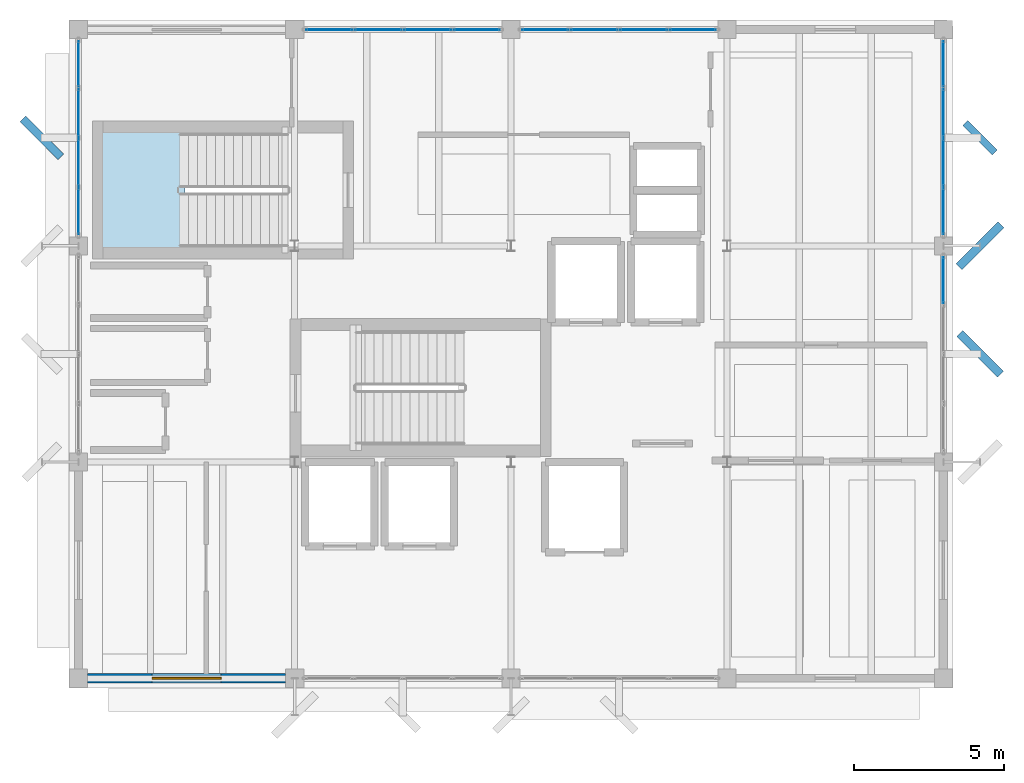
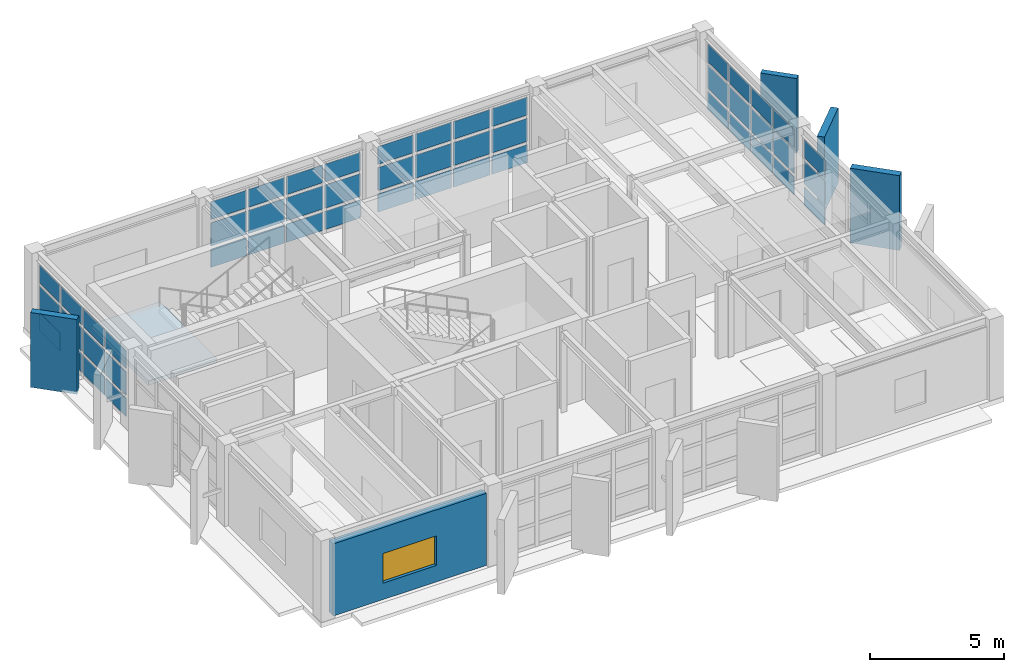
# One storey, part 10 of 15: 55 plates, 1 slab, 1 wall, 1 window, 1 opening, 6 elements without a shape of their own.
"""IFC4 building model written with IfcOpenShell, lengths in metres."""

from ifc_helpers import new_model, si_unit, direction, frame, frame_2d, origin, origin_2d, place, context, subcontext, project, spatial, polyline, rectangle, outline, extrude, material, layer, layer_set, type_object, element, fill, aggregate, save


model = new_model("IFC4")

# Units and contexts
model_context = context("Model", 3, precision=1e-05, world=origin(), true_north=direction((0.0, 1.0)))
body_context = subcontext(model_context, "Body", "Model", "MODEL_VIEW")
ifc_project = project(units=[si_unit("LENGTHUNIT", "METRE"), si_unit("AREAUNIT", "SQUARE_METRE"), si_unit("VOLUMEUNIT", "CUBIC_METRE"), si_unit("PLANEANGLEUNIT", "RADIAN"), si_unit("MASSUNIT", "GRAM", prefix="KILO")], contexts=[model_context])

# Site, building, storey
site_placement = place(None, origin())
site = spatial("IfcSite", under=ifc_project, at=site_placement, CompositionType="ELEMENT")
building_placement = place(site_placement, origin())
building = spatial("IfcBuilding", under=site, at=building_placement, Name="Kandorven Conservatory and Botanical Research Centre", CompositionType="ELEMENT")
storey_placement = place(building_placement, frame((0.0, 0.0, 52.199951171875)))
storey = spatial("IfcBuildingStorey", under=building, at=storey_placement, Name="L13", CompositionType="ELEMENT", Elevation=52.199951171875)

# Curtain wall, plates
ifc_material_1 = material(Name="Bronze anodised thermally broken aluminium", Category="aluminium")
ifc_layer_1 = layer(ifc_material_1, 0.179931640625)
ifc_layer_set_1 = layer_set([ifc_layer_1], Name="Bronze anodised thermally broken aluminium")
curtain_wall_type = type_object("IfcCurtainWallType", Name="CW_Unitised", PredefinedType="USERDEFINED", material=ifc_layer_set_1)
curtain_wall_1_placement = place(storey_placement, origin())
curtain_wall_1 = element("IfcCurtainWall", 1, at=curtain_wall_1_placement, inside=storey, type_object=curtain_wall_type, Name="Tower laboratory curtain wall CW-TWR-N-L13-2", ObjectType="UNITISED GLAZING", PredefinedType="USERDEFINED")
ifc_material_2 = material(Name="Double-glazed solar-control low-E glass", Category="glass")
ifc_layer_2 = layer(ifc_material_2, 0.028076171875)
ifc_layer_set_2 = layer_set([ifc_layer_2], Name="Double-glazed solar-control low-E glass")
plate_type_1 = type_object("IfcPlateType", Name="CW_Panel", PredefinedType="CURTAIN_PANEL", material=ifc_layer_set_2)
plate_1_placement = place(storey_placement, frame((14.344970703125, 27.60009765625, 0.14990234375), z_axis=(0.0, 0.0, 1.0), x_axis=(1.0, 0.0, 0.0)))
plate_1 = element("IfcPlate", 2, at=plate_1_placement, type_object=plate_type_1, Name="CW-01 panel 1.1", PredefinedType="CURTAIN_PANEL", context=body_context, shape_type="SweptSolid", body=[
    extrude(rectangle(XDim=1.530029296875, YDim=0.028076171875, at=origin_2d()), origin(), (0.0, 0.0, 1.0), 0.824951171875),
])
plate_2_placement = place(storey_placement, frame((14.344970703125, 27.60009765625, 1.125), z_axis=(0.0, 0.0, 1.0), x_axis=(1.0, 0.0, 0.0)))
plate_2 = element("IfcPlate", 3, at=plate_2_placement, type_object=plate_type_1, Name="CW-01 panel 1.2", PredefinedType="CURTAIN_PANEL", context=body_context, shape_type="SweptSolid", body=[
    extrude(rectangle(XDim=1.530029296875, YDim=0.028076171875, at=origin_2d()), origin(), (0.0, 0.0, 1.0), 1.050048828125),
])
plate_3_placement = place(storey_placement, frame((14.344970703125, 27.60009765625, 2.324951171875), z_axis=(0.0, 0.0, 1.0), x_axis=(1.0, 0.0, 0.0)))
plate_3 = element("IfcPlate", 4, at=plate_3_placement, type_object=plate_type_1, Name="CW-01 panel 1.3", PredefinedType="CURTAIN_PANEL", context=body_context, shape_type="SweptSolid", body=[
    extrude(rectangle(XDim=1.530029296875, YDim=0.028076171875, at=origin_2d()), origin(), (0.0, 0.0, 1.0), 0.81005859375),
])
plate_4_placement = place(storey_placement, frame((15.97509765625, 27.60009765625, 0.14990234375), z_axis=(0.0, 0.0, 1.0), x_axis=(1.0, 0.0, 0.0)))
plate_4 = element("IfcPlate", 5, at=plate_4_placement, type_object=plate_type_1, Name="CW-01 panel 2.1", PredefinedType="CURTAIN_PANEL", context=body_context, shape_type="SweptSolid", body=[
    extrude(rectangle(XDim=1.570068359375, YDim=0.028076171875, at=origin_2d()), origin(), (0.0, 0.0, 1.0), 0.824951171875),
])
plate_5_placement = place(storey_placement, frame((15.97509765625, 27.60009765625, 1.125), z_axis=(0.0, 0.0, 1.0), x_axis=(1.0, 0.0, 0.0)))
plate_5 = element("IfcPlate", 6, at=plate_5_placement, type_object=plate_type_1, Name="CW-01 panel 2.2", PredefinedType="CURTAIN_PANEL", context=body_context, shape_type="SweptSolid", body=[
    extrude(rectangle(XDim=1.570068359375, YDim=0.028076171875, at=origin_2d()), origin(), (0.0, 0.0, 1.0), 1.050048828125),
])
plate_6_placement = place(storey_placement, frame((15.97509765625, 27.60009765625, 2.324951171875), z_axis=(0.0, 0.0, 1.0), x_axis=(1.0, 0.0, 0.0)))
plate_6 = element("IfcPlate", 7, at=plate_6_placement, type_object=plate_type_1, Name="CW-01 panel 2.3", PredefinedType="CURTAIN_PANEL", context=body_context, shape_type="SweptSolid", body=[
    extrude(rectangle(XDim=1.570068359375, YDim=0.028076171875, at=origin_2d()), origin(), (0.0, 0.0, 1.0), 0.81005859375),
])
plate_7_placement = place(storey_placement, frame((17.625, 27.60009765625, 0.14990234375), z_axis=(0.0, 0.0, 1.0), x_axis=(1.0, 0.0, 0.0)))
plate_7 = element("IfcPlate", 8, at=plate_7_placement, type_object=plate_type_1, Name="CW-01 panel 3.1", PredefinedType="CURTAIN_PANEL", context=body_context, shape_type="SweptSolid", body=[
    extrude(rectangle(XDim=1.570068359375, YDim=0.028076171875, at=origin_2d()), origin(), (0.0, 0.0, 1.0), 0.824951171875),
])
plate_8_placement = place(storey_placement, frame((17.625, 27.60009765625, 1.125), z_axis=(0.0, 0.0, 1.0), x_axis=(1.0, 0.0, 0.0)))
plate_8 = element("IfcPlate", 9, at=plate_8_placement, type_object=plate_type_1, Name="CW-01 panel 3.2", PredefinedType="CURTAIN_PANEL", context=body_context, shape_type="SweptSolid", body=[
    extrude(rectangle(XDim=1.570068359375, YDim=0.028076171875, at=origin_2d()), origin(), (0.0, 0.0, 1.0), 1.050048828125),
])
plate_9_placement = place(storey_placement, frame((17.625, 27.60009765625, 2.324951171875), z_axis=(0.0, 0.0, 1.0), x_axis=(1.0, 0.0, 0.0)))
plate_9 = element("IfcPlate", 10, at=plate_9_placement, type_object=plate_type_1, Name="CW-01 panel 3.3", PredefinedType="CURTAIN_PANEL", context=body_context, shape_type="SweptSolid", body=[
    extrude(rectangle(XDim=1.570068359375, YDim=0.028076171875, at=origin_2d()), origin(), (0.0, 0.0, 1.0), 0.81005859375),
])
plate_10_placement = place(storey_placement, frame((19.2548828125, 27.60009765625, 0.14990234375), z_axis=(0.0, 0.0, 1.0), x_axis=(1.0, 0.0, 0.0)))
plate_10 = element("IfcPlate", 11, at=plate_10_placement, type_object=plate_type_1, Name="CW-01 panel 4.1", PredefinedType="CURTAIN_PANEL", context=body_context, shape_type="SweptSolid", body=[
    extrude(rectangle(XDim=1.530029296875, YDim=0.028076171875, at=origin_2d()), origin(), (0.0, 0.0, 1.0), 0.824951171875),
])
plate_11_placement = place(storey_placement, frame((19.2548828125, 27.60009765625, 1.125), z_axis=(0.0, 0.0, 1.0), x_axis=(1.0, 0.0, 0.0)))
plate_11 = element("IfcPlate", 12, at=plate_11_placement, type_object=plate_type_1, Name="CW-01 panel 4.2", PredefinedType="CURTAIN_PANEL", context=body_context, shape_type="SweptSolid", body=[
    extrude(rectangle(XDim=1.530029296875, YDim=0.028076171875, at=origin_2d()), origin(), (0.0, 0.0, 1.0), 1.050048828125),
])
plate_12_placement = place(storey_placement, frame((19.2548828125, 27.60009765625, 2.324951171875), z_axis=(0.0, 0.0, 1.0), x_axis=(1.0, 0.0, 0.0)))
plate_12 = element("IfcPlate", 13, at=plate_12_placement, type_object=plate_type_1, Name="CW-01 panel 4.3", PredefinedType="CURTAIN_PANEL", context=body_context, shape_type="SweptSolid", body=[
    extrude(rectangle(XDim=1.530029296875, YDim=0.028076171875, at=origin_2d()), origin(), (0.0, 0.0, 1.0), 0.81005859375),
])
aggregate(curtain_wall_1, [plate_1, plate_2, plate_3, plate_4, plate_5, plate_6, plate_7, plate_8, plate_9, plate_10, plate_11, plate_12])

curtain_wall_2_placement = place(storey_placement, origin())
curtain_wall_2 = element("IfcCurtainWall", 14, at=curtain_wall_2_placement, inside=storey, type_object=curtain_wall_type, Name="Tower laboratory curtain wall CW-TWR-N-L13-3", ObjectType="UNITISED GLAZING", PredefinedType="USERDEFINED")
plate_13_placement = place(storey_placement, frame((21.544921875, 27.60009765625, 0.14990234375), z_axis=(0.0, 0.0, 1.0), x_axis=(1.0, 0.0, 0.0)))
plate_13 = element("IfcPlate", 15, at=plate_13_placement, type_object=plate_type_1, Name="CW-01 panel 1.1", PredefinedType="CURTAIN_PANEL", context=body_context, shape_type="SweptSolid", body=[
    extrude(rectangle(XDim=1.530029296875, YDim=0.028076171875, at=origin_2d()), origin(), (0.0, 0.0, 1.0), 0.824951171875),
])
plate_14_placement = place(storey_placement, frame((21.544921875, 27.60009765625, 1.125), z_axis=(0.0, 0.0, 1.0), x_axis=(1.0, 0.0, 0.0)))
plate_14 = element("IfcPlate", 16, at=plate_14_placement, type_object=plate_type_1, Name="CW-01 panel 1.2", PredefinedType="CURTAIN_PANEL", context=body_context, shape_type="SweptSolid", body=[
    extrude(rectangle(XDim=1.530029296875, YDim=0.028076171875, at=origin_2d()), origin(), (0.0, 0.0, 1.0), 1.050048828125),
])
plate_15_placement = place(storey_placement, frame((21.544921875, 27.60009765625, 2.324951171875), z_axis=(0.0, 0.0, 1.0), x_axis=(1.0, 0.0, 0.0)))
plate_15 = element("IfcPlate", 17, at=plate_15_placement, type_object=plate_type_1, Name="CW-01 panel 1.3", PredefinedType="CURTAIN_PANEL", context=body_context, shape_type="SweptSolid", body=[
    extrude(rectangle(XDim=1.530029296875, YDim=0.028076171875, at=origin_2d()), origin(), (0.0, 0.0, 1.0), 0.81005859375),
])
plate_16_placement = place(storey_placement, frame((23.175048828125, 27.60009765625, 0.14990234375), z_axis=(0.0, 0.0, 1.0), x_axis=(1.0, 0.0, 0.0)))
plate_16 = element("IfcPlate", 18, at=plate_16_placement, type_object=plate_type_1, Name="CW-01 panel 2.1", PredefinedType="CURTAIN_PANEL", context=body_context, shape_type="SweptSolid", body=[
    extrude(rectangle(XDim=1.570068359375, YDim=0.028076171875, at=origin_2d()), origin(), (0.0, 0.0, 1.0), 0.824951171875),
])
plate_17_placement = place(storey_placement, frame((23.175048828125, 27.60009765625, 1.125), z_axis=(0.0, 0.0, 1.0), x_axis=(1.0, 0.0, 0.0)))
plate_17 = element("IfcPlate", 19, at=plate_17_placement, type_object=plate_type_1, Name="CW-01 panel 2.2", PredefinedType="CURTAIN_PANEL", context=body_context, shape_type="SweptSolid", body=[
    extrude(rectangle(XDim=1.570068359375, YDim=0.028076171875, at=origin_2d()), origin(), (0.0, 0.0, 1.0), 1.050048828125),
])
plate_18_placement = place(storey_placement, frame((23.175048828125, 27.60009765625, 2.324951171875), z_axis=(0.0, 0.0, 1.0), x_axis=(1.0, 0.0, 0.0)))
plate_18 = element("IfcPlate", 20, at=plate_18_placement, type_object=plate_type_1, Name="CW-01 panel 2.3", PredefinedType="CURTAIN_PANEL", context=body_context, shape_type="SweptSolid", body=[
    extrude(rectangle(XDim=1.570068359375, YDim=0.028076171875, at=origin_2d()), origin(), (0.0, 0.0, 1.0), 0.81005859375),
])
plate_19_placement = place(storey_placement, frame((24.824951171875, 27.60009765625, 0.14990234375), z_axis=(0.0, 0.0, 1.0), x_axis=(1.0, 0.0, 0.0)))
plate_19 = element("IfcPlate", 21, at=plate_19_placement, type_object=plate_type_1, Name="CW-01 panel 3.1", PredefinedType="CURTAIN_PANEL", context=body_context, shape_type="SweptSolid", body=[
    extrude(rectangle(XDim=1.570068359375, YDim=0.028076171875, at=origin_2d()), origin(), (0.0, 0.0, 1.0), 0.824951171875),
])
plate_20_placement = place(storey_placement, frame((24.824951171875, 27.60009765625, 1.125), z_axis=(0.0, 0.0, 1.0), x_axis=(1.0, 0.0, 0.0)))
plate_20 = element("IfcPlate", 22, at=plate_20_placement, type_object=plate_type_1, Name="CW-01 panel 3.2", PredefinedType="CURTAIN_PANEL", context=body_context, shape_type="SweptSolid", body=[
    extrude(rectangle(XDim=1.570068359375, YDim=0.028076171875, at=origin_2d()), origin(), (0.0, 0.0, 1.0), 1.050048828125),
])
plate_21_placement = place(storey_placement, frame((24.824951171875, 27.60009765625, 2.324951171875), z_axis=(0.0, 0.0, 1.0), x_axis=(1.0, 0.0, 0.0)))
plate_21 = element("IfcPlate", 23, at=plate_21_placement, type_object=plate_type_1, Name="CW-01 panel 3.3", PredefinedType="CURTAIN_PANEL", context=body_context, shape_type="SweptSolid", body=[
    extrude(rectangle(XDim=1.570068359375, YDim=0.028076171875, at=origin_2d()), origin(), (0.0, 0.0, 1.0), 0.81005859375),
])
plate_22_placement = place(storey_placement, frame((26.455078125, 27.60009765625, 0.14990234375), z_axis=(0.0, 0.0, 1.0), x_axis=(1.0, 0.0, 0.0)))
plate_22 = element("IfcPlate", 24, at=plate_22_placement, type_object=plate_type_1, Name="CW-01 panel 4.1", PredefinedType="CURTAIN_PANEL", context=body_context, shape_type="SweptSolid", body=[
    extrude(rectangle(XDim=1.530029296875, YDim=0.028076171875, at=origin_2d()), origin(), (0.0, 0.0, 1.0), 0.824951171875),
])
plate_23_placement = place(storey_placement, frame((26.455078125, 27.60009765625, 1.125), z_axis=(0.0, 0.0, 1.0), x_axis=(1.0, 0.0, 0.0)))
plate_23 = element("IfcPlate", 25, at=plate_23_placement, type_object=plate_type_1, Name="CW-01 panel 4.2", PredefinedType="CURTAIN_PANEL", context=body_context, shape_type="SweptSolid", body=[
    extrude(rectangle(XDim=1.530029296875, YDim=0.028076171875, at=origin_2d()), origin(), (0.0, 0.0, 1.0), 1.050048828125),
])
plate_24_placement = place(storey_placement, frame((26.455078125, 27.60009765625, 2.324951171875), z_axis=(0.0, 0.0, 1.0), x_axis=(1.0, 0.0, 0.0)))
plate_24 = element("IfcPlate", 26, at=plate_24_placement, type_object=plate_type_1, Name="CW-01 panel 4.3", PredefinedType="CURTAIN_PANEL", context=body_context, shape_type="SweptSolid", body=[
    extrude(rectangle(XDim=1.530029296875, YDim=0.028076171875, at=origin_2d()), origin(), (0.0, 0.0, 1.0), 0.81005859375),
])
aggregate(curtain_wall_2, [plate_13, plate_14, plate_15, plate_16, plate_17, plate_18, plate_19, plate_20, plate_21, plate_22, plate_23, plate_24])

curtain_wall_3_placement = place(storey_placement, origin())
curtain_wall_3 = element("IfcCurtainWall", 27, at=curtain_wall_3_placement, inside=storey, type_object=curtain_wall_type, Name="Tower laboratory curtain wall CW-TWR-W-L13-3", ObjectType="UNITISED GLAZING", PredefinedType="USERDEFINED")
plate_25_placement = place(storey_placement, frame((6.0, 21.544921875, 0.14990234375), z_axis=(0.0, 0.0, 1.0), x_axis=(0.0, 1.0, 0.0)))
plate_25 = element("IfcPlate", 28, at=plate_25_placement, type_object=plate_type_1, Name="CW-01 panel 1.1", PredefinedType="CURTAIN_PANEL", context=body_context, shape_type="SweptSolid", body=[
    extrude(rectangle(XDim=1.530029296875, YDim=0.028076171875, at=origin_2d()), origin(), (0.0, 0.0, 1.0), 0.824951171875),
])
plate_26_placement = place(storey_placement, frame((6.0, 21.544921875, 1.125), z_axis=(0.0, 0.0, 1.0), x_axis=(0.0, 1.0, 0.0)))
plate_26 = element("IfcPlate", 29, at=plate_26_placement, type_object=plate_type_1, Name="CW-01 panel 1.2", PredefinedType="CURTAIN_PANEL", context=body_context, shape_type="SweptSolid", body=[
    extrude(rectangle(XDim=1.530029296875, YDim=0.028076171875, at=origin_2d()), origin(), (0.0, 0.0, 1.0), 1.050048828125),
])
plate_27_placement = place(storey_placement, frame((6.0, 21.544921875, 2.324951171875), z_axis=(0.0, 0.0, 1.0), x_axis=(0.0, 1.0, 0.0)))
plate_27 = element("IfcPlate", 30, at=plate_27_placement, type_object=plate_type_1, Name="CW-01 panel 1.3", PredefinedType="CURTAIN_PANEL", context=body_context, shape_type="SweptSolid", body=[
    extrude(rectangle(XDim=1.530029296875, YDim=0.028076171875, at=origin_2d()), origin(), (0.0, 0.0, 1.0), 0.81005859375),
])
plate_28_placement = place(storey_placement, frame((6.0, 23.175048828125, 0.14990234375), z_axis=(0.0, 0.0, 1.0), x_axis=(0.0, 1.0, 0.0)))
plate_28 = element("IfcPlate", 31, at=plate_28_placement, type_object=plate_type_1, Name="CW-01 panel 2.1", PredefinedType="CURTAIN_PANEL", context=body_context, shape_type="SweptSolid", body=[
    extrude(rectangle(XDim=1.570068359375, YDim=0.028076171875, at=origin_2d()), origin(), (0.0, 0.0, 1.0), 0.824951171875),
])
plate_29_placement = place(storey_placement, frame((6.0, 23.175048828125, 1.125), z_axis=(0.0, 0.0, 1.0), x_axis=(0.0, 1.0, 0.0)))
plate_29 = element("IfcPlate", 32, at=plate_29_placement, type_object=plate_type_1, Name="CW-01 panel 2.2", PredefinedType="CURTAIN_PANEL", context=body_context, shape_type="SweptSolid", body=[
    extrude(rectangle(XDim=1.570068359375, YDim=0.028076171875, at=origin_2d()), origin(), (0.0, 0.0, 1.0), 1.050048828125),
])
plate_30_placement = place(storey_placement, frame((6.0, 23.175048828125, 2.324951171875), z_axis=(0.0, 0.0, 1.0), x_axis=(0.0, 1.0, 0.0)))
plate_30 = element("IfcPlate", 33, at=plate_30_placement, type_object=plate_type_1, Name="CW-01 panel 2.3", PredefinedType="CURTAIN_PANEL", context=body_context, shape_type="SweptSolid", body=[
    extrude(rectangle(XDim=1.570068359375, YDim=0.028076171875, at=origin_2d()), origin(), (0.0, 0.0, 1.0), 0.81005859375),
])
plate_31_placement = place(storey_placement, frame((6.0, 24.824951171875, 0.14990234375), z_axis=(0.0, 0.0, 1.0), x_axis=(0.0, 1.0, 0.0)))
plate_31 = element("IfcPlate", 34, at=plate_31_placement, type_object=plate_type_1, Name="CW-01 panel 3.1", PredefinedType="CURTAIN_PANEL", context=body_context, shape_type="SweptSolid", body=[
    extrude(rectangle(XDim=1.570068359375, YDim=0.028076171875, at=origin_2d()), origin(), (0.0, 0.0, 1.0), 0.824951171875),
])
plate_32_placement = place(storey_placement, frame((6.0, 24.824951171875, 1.125), z_axis=(0.0, 0.0, 1.0), x_axis=(0.0, 1.0, 0.0)))
plate_32 = element("IfcPlate", 35, at=plate_32_placement, type_object=plate_type_1, Name="CW-01 panel 3.2", PredefinedType="CURTAIN_PANEL", context=body_context, shape_type="SweptSolid", body=[
    extrude(rectangle(XDim=1.570068359375, YDim=0.028076171875, at=origin_2d()), origin(), (0.0, 0.0, 1.0), 1.050048828125),
])
plate_33_placement = place(storey_placement, frame((6.0, 24.824951171875, 2.324951171875), z_axis=(0.0, 0.0, 1.0), x_axis=(0.0, 1.0, 0.0)))
plate_33 = element("IfcPlate", 36, at=plate_33_placement, type_object=plate_type_1, Name="CW-01 panel 3.3", PredefinedType="CURTAIN_PANEL", context=body_context, shape_type="SweptSolid", body=[
    extrude(rectangle(XDim=1.570068359375, YDim=0.028076171875, at=origin_2d()), origin(), (0.0, 0.0, 1.0), 0.81005859375),
])
plate_34_placement = place(storey_placement, frame((6.0, 26.455078125, 0.14990234375), z_axis=(0.0, 0.0, 1.0), x_axis=(0.0, 1.0, 0.0)))
plate_34 = element("IfcPlate", 37, at=plate_34_placement, type_object=plate_type_1, Name="CW-01 panel 4.1", PredefinedType="CURTAIN_PANEL", context=body_context, shape_type="SweptSolid", body=[
    extrude(rectangle(XDim=1.530029296875, YDim=0.028076171875, at=origin_2d()), origin(), (0.0, 0.0, 1.0), 0.824951171875),
])
plate_35_placement = place(storey_placement, frame((6.0, 26.455078125, 1.125), z_axis=(0.0, 0.0, 1.0), x_axis=(0.0, 1.0, 0.0)))
plate_35 = element("IfcPlate", 38, at=plate_35_placement, type_object=plate_type_1, Name="CW-01 panel 4.2", PredefinedType="CURTAIN_PANEL", context=body_context, shape_type="SweptSolid", body=[
    extrude(rectangle(XDim=1.530029296875, YDim=0.028076171875, at=origin_2d()), origin(), (0.0, 0.0, 1.0), 1.050048828125),
])
plate_36_placement = place(storey_placement, frame((6.0, 26.455078125, 2.324951171875), z_axis=(0.0, 0.0, 1.0), x_axis=(0.0, 1.0, 0.0)))
plate_36 = element("IfcPlate", 39, at=plate_36_placement, type_object=plate_type_1, Name="CW-01 panel 4.3", PredefinedType="CURTAIN_PANEL", context=body_context, shape_type="SweptSolid", body=[
    extrude(rectangle(XDim=1.530029296875, YDim=0.028076171875, at=origin_2d()), origin(), (0.0, 0.0, 1.0), 0.81005859375),
])
aggregate(curtain_wall_3, [plate_25, plate_26, plate_27, plate_28, plate_29, plate_30, plate_31, plate_32, plate_33, plate_34, plate_35, plate_36])

curtain_wall_4_placement = place(storey_placement, origin())
curtain_wall_4 = element("IfcCurtainWall", 40, at=curtain_wall_4_placement, inside=storey, type_object=curtain_wall_type, Name="Tower laboratory curtain wall CW-TWR-E-L13-2", ObjectType="UNITISED GLAZING", PredefinedType="USERDEFINED")
plate_37_placement = place(storey_placement, frame((34.800048828125, 19.2548828125, 0.14990234375), z_axis=(0.0, 0.0, 1.0), x_axis=(0.0, 1.0, 0.0)))
plate_37 = element("IfcPlate", 41, at=plate_37_placement, type_object=plate_type_1, Name="CW-01 panel 4.1", PredefinedType="CURTAIN_PANEL", context=body_context, shape_type="SweptSolid", body=[
    extrude(rectangle(XDim=1.530029296875, YDim=0.028076171875, at=origin_2d()), origin(), (0.0, 0.0, 1.0), 0.824951171875),
])
plate_38_placement = place(storey_placement, frame((34.800048828125, 19.2548828125, 1.125), z_axis=(0.0, 0.0, 1.0), x_axis=(0.0, 1.0, 0.0)))
plate_38 = element("IfcPlate", 42, at=plate_38_placement, type_object=plate_type_1, Name="CW-01 panel 4.2", PredefinedType="CURTAIN_PANEL", context=body_context, shape_type="SweptSolid", body=[
    extrude(rectangle(XDim=1.530029296875, YDim=0.028076171875, at=origin_2d()), origin(), (0.0, 0.0, 1.0), 1.050048828125),
])
plate_39_placement = place(storey_placement, frame((34.800048828125, 19.2548828125, 2.324951171875), z_axis=(0.0, 0.0, 1.0), x_axis=(0.0, 1.0, 0.0)))
plate_39 = element("IfcPlate", 43, at=plate_39_placement, type_object=plate_type_1, Name="CW-01 panel 4.3", PredefinedType="CURTAIN_PANEL", context=body_context, shape_type="SweptSolid", body=[
    extrude(rectangle(XDim=1.530029296875, YDim=0.028076171875, at=origin_2d()), origin(), (0.0, 0.0, 1.0), 0.81005859375),
])
aggregate(curtain_wall_4, [plate_37, plate_38, plate_39])

curtain_wall_5_placement = place(storey_placement, origin())
curtain_wall_5 = element("IfcCurtainWall", 44, at=curtain_wall_5_placement, inside=storey, type_object=curtain_wall_type, Name="Tower laboratory curtain wall CW-TWR-E-L13-3", ObjectType="UNITISED GLAZING", PredefinedType="USERDEFINED")
plate_40_placement = place(storey_placement, frame((34.800048828125, 21.544921875, 0.14990234375), z_axis=(0.0, 0.0, 1.0), x_axis=(0.0, 1.0, 0.0)))
plate_40 = element("IfcPlate", 45, at=plate_40_placement, type_object=plate_type_1, Name="CW-01 panel 1.1", PredefinedType="CURTAIN_PANEL", context=body_context, shape_type="SweptSolid", body=[
    extrude(rectangle(XDim=1.530029296875, YDim=0.028076171875, at=origin_2d()), origin(), (0.0, 0.0, 1.0), 0.824951171875),
])
plate_41_placement = place(storey_placement, frame((34.800048828125, 21.544921875, 1.125), z_axis=(0.0, 0.0, 1.0), x_axis=(0.0, 1.0, 0.0)))
plate_41 = element("IfcPlate", 46, at=plate_41_placement, type_object=plate_type_1, Name="CW-01 panel 1.2", PredefinedType="CURTAIN_PANEL", context=body_context, shape_type="SweptSolid", body=[
    extrude(rectangle(XDim=1.530029296875, YDim=0.028076171875, at=origin_2d()), origin(), (0.0, 0.0, 1.0), 1.050048828125),
])
plate_42_placement = place(storey_placement, frame((34.800048828125, 21.544921875, 2.324951171875), z_axis=(0.0, 0.0, 1.0), x_axis=(0.0, 1.0, 0.0)))
plate_42 = element("IfcPlate", 47, at=plate_42_placement, type_object=plate_type_1, Name="CW-01 panel 1.3", PredefinedType="CURTAIN_PANEL", context=body_context, shape_type="SweptSolid", body=[
    extrude(rectangle(XDim=1.530029296875, YDim=0.028076171875, at=origin_2d()), origin(), (0.0, 0.0, 1.0), 0.81005859375),
])
plate_43_placement = place(storey_placement, frame((34.800048828125, 23.175048828125, 0.14990234375), z_axis=(0.0, 0.0, 1.0), x_axis=(0.0, 1.0, 0.0)))
plate_43 = element("IfcPlate", 48, at=plate_43_placement, type_object=plate_type_1, Name="CW-01 panel 2.1", PredefinedType="CURTAIN_PANEL", context=body_context, shape_type="SweptSolid", body=[
    extrude(rectangle(XDim=1.570068359375, YDim=0.028076171875, at=origin_2d()), origin(), (0.0, 0.0, 1.0), 0.824951171875),
])
plate_44_placement = place(storey_placement, frame((34.800048828125, 23.175048828125, 1.125), z_axis=(0.0, 0.0, 1.0), x_axis=(0.0, 1.0, 0.0)))
plate_44 = element("IfcPlate", 49, at=plate_44_placement, type_object=plate_type_1, Name="CW-01 panel 2.2", PredefinedType="CURTAIN_PANEL", context=body_context, shape_type="SweptSolid", body=[
    extrude(rectangle(XDim=1.570068359375, YDim=0.028076171875, at=origin_2d()), origin(), (0.0, 0.0, 1.0), 1.050048828125),
])
plate_45_placement = place(storey_placement, frame((34.800048828125, 23.175048828125, 2.324951171875), z_axis=(0.0, 0.0, 1.0), x_axis=(0.0, 1.0, 0.0)))
plate_45 = element("IfcPlate", 50, at=plate_45_placement, type_object=plate_type_1, Name="CW-01 panel 2.3", PredefinedType="CURTAIN_PANEL", context=body_context, shape_type="SweptSolid", body=[
    extrude(rectangle(XDim=1.570068359375, YDim=0.028076171875, at=origin_2d()), origin(), (0.0, 0.0, 1.0), 0.81005859375),
])
plate_46_placement = place(storey_placement, frame((34.800048828125, 24.824951171875, 0.14990234375), z_axis=(0.0, 0.0, 1.0), x_axis=(0.0, 1.0, 0.0)))
plate_46 = element("IfcPlate", 51, at=plate_46_placement, type_object=plate_type_1, Name="CW-01 panel 3.1", PredefinedType="CURTAIN_PANEL", context=body_context, shape_type="SweptSolid", body=[
    extrude(rectangle(XDim=1.570068359375, YDim=0.028076171875, at=origin_2d()), origin(), (0.0, 0.0, 1.0), 0.824951171875),
])
plate_47_placement = place(storey_placement, frame((34.800048828125, 24.824951171875, 1.125), z_axis=(0.0, 0.0, 1.0), x_axis=(0.0, 1.0, 0.0)))
plate_47 = element("IfcPlate", 52, at=plate_47_placement, type_object=plate_type_1, Name="CW-01 panel 3.2", PredefinedType="CURTAIN_PANEL", context=body_context, shape_type="SweptSolid", body=[
    extrude(rectangle(XDim=1.570068359375, YDim=0.028076171875, at=origin_2d()), origin(), (0.0, 0.0, 1.0), 1.050048828125),
])
plate_48_placement = place(storey_placement, frame((34.800048828125, 24.824951171875, 2.324951171875), z_axis=(0.0, 0.0, 1.0), x_axis=(0.0, 1.0, 0.0)))
plate_48 = element("IfcPlate", 53, at=plate_48_placement, type_object=plate_type_1, Name="CW-01 panel 3.3", PredefinedType="CURTAIN_PANEL", context=body_context, shape_type="SweptSolid", body=[
    extrude(rectangle(XDim=1.570068359375, YDim=0.028076171875, at=origin_2d()), origin(), (0.0, 0.0, 1.0), 0.81005859375),
])
plate_49_placement = place(storey_placement, frame((34.800048828125, 26.455078125, 0.14990234375), z_axis=(0.0, 0.0, 1.0), x_axis=(0.0, 1.0, 0.0)))
plate_49 = element("IfcPlate", 54, at=plate_49_placement, type_object=plate_type_1, Name="CW-01 panel 4.1", PredefinedType="CURTAIN_PANEL", context=body_context, shape_type="SweptSolid", body=[
    extrude(rectangle(XDim=1.530029296875, YDim=0.028076171875, at=origin_2d()), origin(), (0.0, 0.0, 1.0), 0.824951171875),
])
plate_50_placement = place(storey_placement, frame((34.800048828125, 26.455078125, 1.125), z_axis=(0.0, 0.0, 1.0), x_axis=(0.0, 1.0, 0.0)))
plate_50 = element("IfcPlate", 55, at=plate_50_placement, type_object=plate_type_1, Name="CW-01 panel 4.2", PredefinedType="CURTAIN_PANEL", context=body_context, shape_type="SweptSolid", body=[
    extrude(rectangle(XDim=1.530029296875, YDim=0.028076171875, at=origin_2d()), origin(), (0.0, 0.0, 1.0), 1.050048828125),
])
plate_51_placement = place(storey_placement, frame((34.800048828125, 26.455078125, 2.324951171875), z_axis=(0.0, 0.0, 1.0), x_axis=(0.0, 1.0, 0.0)))
plate_51 = element("IfcPlate", 56, at=plate_51_placement, type_object=plate_type_1, Name="CW-01 panel 4.3", PredefinedType="CURTAIN_PANEL", context=body_context, shape_type="SweptSolid", body=[
    extrude(rectangle(XDim=1.530029296875, YDim=0.028076171875, at=origin_2d()), origin(), (0.0, 0.0, 1.0), 0.81005859375),
])
aggregate(curtain_wall_5, [plate_40, plate_41, plate_42, plate_43, plate_44, plate_45, plate_46, plate_47, plate_48, plate_49, plate_50, plate_51])

# Plates
ifc_material_3 = material(Name="Precast concrete C40/50 (M50)", Category="concrete")
ifc_layer_3 = layer(ifc_material_3, 0.239990234375)
ifc_layer_set_3 = layer_set([ifc_layer_3], Name="Precast concrete C40/50 (M50)")
plate_type_2 = type_object("IfcPlateType", Name="Fin_BF-01", PredefinedType="USERDEFINED", material=ifc_layer_set_3)
plate_52_placement = place(storey_placement, frame((36.02001953125, 24.0, -0.1201171875), z_axis=(0.0, 0.0, 1.0), x_axis=(-0.707106781187, 0.707106781187, 0.0)))
element("IfcPlate", 57, at=plate_52_placement, inside=storey, type_object=plate_type_2, Name="Sculpted board-marked concrete brise-soleil fin BF-01", ObjectType="SOLAR FIN", PredefinedType="USERDEFINED", context=body_context, shape_type="SweptSolid", body=[
    extrude(rectangle(XDim=1.39990234375, YDim=0.239990234375, at=origin_2d()), origin(), (0.0, 0.0, 1.0), 3.405029296875),
])
ifc_material_4 = material(Name="Precast concrete C40/50 (M50)", Category="concrete")
ifc_layer_4 = layer(ifc_material_4, 0.27197265625)
ifc_layer_set_4 = layer_set([ifc_layer_4], Name="Precast concrete C40/50 (M50)")
plate_type_3 = type_object("IfcPlateType", Name="Fin_BF-17", PredefinedType="USERDEFINED", material=ifc_layer_set_4)
plate_53_placement = place(storey_placement, frame((4.780029296875, 24.0, -0.1201171875), z_axis=(0.0, 0.0, 1.0), x_axis=(-0.707106781187, 0.707106781187, 0.0)))
element("IfcPlate", 58, at=plate_53_placement, inside=storey, type_object=plate_type_3, Name="Sculpted board-marked concrete brise-soleil fin BF-17", ObjectType="SOLAR FIN", PredefinedType="USERDEFINED", context=body_context, shape_type="SweptSolid", body=[
    extrude(rectangle(XDim=1.7900390625, YDim=0.27197265625, at=origin_2d()), origin(), (0.0, 0.0, 1.0), 3.405029296875),
])
ifc_material_5 = material(Name="Precast concrete C40/50 (M50)", Category="concrete")
ifc_layer_5 = layer(ifc_material_5, 0.281982421875)
ifc_layer_set_5 = layer_set([ifc_layer_5], Name="Precast concrete C40/50 (M50)")
plate_type_4 = type_object("IfcPlateType", Name="Fin_BF-19", PredefinedType="USERDEFINED", material=ifc_layer_set_5)
plate_54_placement = place(storey_placement, frame((36.02001953125, 16.800048828125, -0.1201171875), z_axis=(0.0, 0.0, 1.0), x_axis=(-0.707106781187, 0.707106781187, 0.0)))
element("IfcPlate", 59, at=plate_54_placement, inside=storey, type_object=plate_type_4, Name="Sculpted board-marked concrete brise-soleil fin BF-19", ObjectType="SOLAR FIN", PredefinedType="USERDEFINED", context=body_context, shape_type="SweptSolid", body=[
    extrude(rectangle(XDim=1.909912109375, YDim=0.281982421875, at=origin_2d()), origin(), (0.0, 0.0, 1.0), 3.405029296875),
])
ifc_material_6 = material(Name="Precast concrete C40/50 (M50)", Category="concrete")
ifc_layer_6 = layer(ifc_material_6, 0.2880859375)
ifc_layer_set_6 = layer_set([ifc_layer_6], Name="Precast concrete C40/50 (M50)")
plate_type_5 = type_object("IfcPlateType", Name="Fin_BF-20", PredefinedType="USERDEFINED", material=ifc_layer_set_6)
plate_55_placement = place(storey_placement, frame((36.02001953125, 20.39990234375, -0.1201171875), z_axis=(0.0, 0.0, 1.0), x_axis=(0.707106781187, 0.707106781187, 0.0)))
element("IfcPlate", 60, at=plate_55_placement, inside=storey, type_object=plate_type_5, Name="Sculpted board-marked concrete brise-soleil fin BF-20", ObjectType="SOLAR FIN", PredefinedType="USERDEFINED", context=body_context, shape_type="SweptSolid", body=[
    extrude(rectangle(XDim=1.969970703125, YDim=0.2880859375, at=origin_2d()), origin(), (0.0, 0.0, 1.0), 3.405029296875),
])

# Stair, slab
ifc_material_7 = material(Name="Concrete C32/40 (M40)", Category="concrete")
stair_type = type_object("IfcStairType", Name="Stair_1820", PredefinedType="HALF_TURN_STAIR", material=ifc_material_7)
stair_placement = place(storey_placement, origin())
stair = element("IfcStair", 61, at=stair_placement, inside=storey, type_object=stair_type, Name="L13 Tower Fire Stair ST-T2", PredefinedType="HALF_TURN_STAIR")
ifc_material_8 = material(Name="Concrete C32/40 (M40)", Category="concrete")
ifc_layer_7 = layer(ifc_material_8, 0.199951171875)
ifc_layer_set_7 = layer_set([ifc_layer_7], Name="Concrete C32/40 (M40)")
slab_type = type_object("IfcSlabType", Name="StairLanding_200", PredefinedType="LANDING", material=ifc_layer_set_7)
slab_placement = place(storey_placement, frame((0.0, 0.0, 1.75)))
slab = element("IfcSlab", 62, at=slab_placement, type_object=slab_type, Name="ST-T2 landing 1", PredefinedType="LANDING", context=body_context, shape_type="SweptSolid", body=[
    extrude(outline(polyline([(9.54052734375, 24.389892578125), (6.580078125, 24.389892578125), (6.580078125, 20.1201171875), (9.54052734375, 20.1201171875), (9.54052734375, 24.389892578125)])), origin(), (0.0, 0.0, 1.0), 0.199951171875),
])
aggregate(stair, [slab])

# Wall, opening, window
ifc_material_9 = material(Name="Concrete C32/40 (M40)", Category="concrete")
ifc_layer_8 = layer(ifc_material_9, 0.320068359375)
ifc_layer_set_8 = layer_set([ifc_layer_8], Name="Concrete C32/40 (M40)")
wall_type = type_object("IfcWallType", Name="Wall_EW-03", PredefinedType="STANDARD", material=ifc_layer_set_8)
wall_placement = place(storey_placement, frame((6.300048828125, 6.0, 0.0), z_axis=(0.0, 0.0, 1.0), x_axis=(1.0, 0.0, 0.0)))
wall = element("IfcWall", 63, at=wall_placement, inside=storey, type_object=wall_type, Name="Tower concrete facade wall EW-03 S L13", PredefinedType="STANDARD", context=body_context, shape_type="SweptSolid", body=[
    extrude(rectangle(XDim=6.599853515625, YDim=0.320068359375, at=frame_2d((3.2998046875, 0.0))), origin(), (0.0, 0.0, 1.0), 3.28515625),
])
opening_placement = place(wall_placement, frame((2.14990234375, 0.0, 0.75)))
opening = element("IfcOpeningElement", 64, at=opening_placement, cuts=wall, Name="Opening W-37", PredefinedType="OPENING", context=body_context, shape_type="SweptSolid", body=[
    extrude(rectangle(XDim=2.300048828125, YDim=1.35009765625, at=frame_2d((1.14990234375, 0.675048828125))), frame((0.0, 0.169921875, 0.0), z_axis=(0.0, -1.0, 0.0), x_axis=(1.0, 0.0, 0.0)), (0.0, 0.0, 1.0), 0.340087890625),
])
ifc_material_10 = material(Name="Double-glazed solar-control low-E glass", Category="glass")
window_type = type_object("IfcWindowType", Name="Win_W-37", PartitioningType="DOUBLE_PANEL_VERTICAL", PredefinedType="WINDOW", material=ifc_material_10)
window_placement = place(opening_placement, origin())
window = element("IfcWindow", 65, at=window_placement, inside=storey, type_object=window_type, Name="Tower recessed solar window W-37", OverallHeight=1.35009765625, OverallWidth=2.300048828125, PartitioningType="SINGLE_PANEL", PredefinedType="WINDOW", context=body_context, shape_type="SweptSolid", body=[
    extrude(rectangle(XDim=2.300048828125, YDim=1.35009765625, at=frame_2d((1.14990234375, 0.675048828125))), frame((0.0, 0.030029296875, 0.0), z_axis=(0.0, -1.0, 0.0), x_axis=(1.0, 0.0, 0.0)), (0.0, 0.0, 1.0), 0.06005859375),
])
fill(opening, window)

save(model, "model.ifc")
